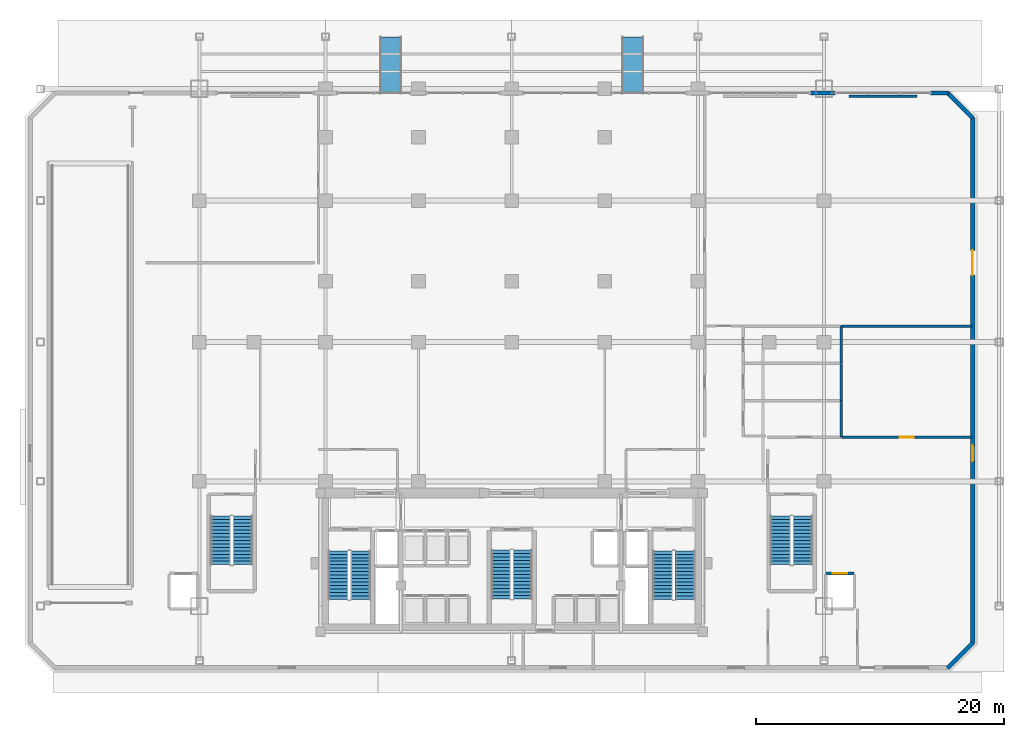
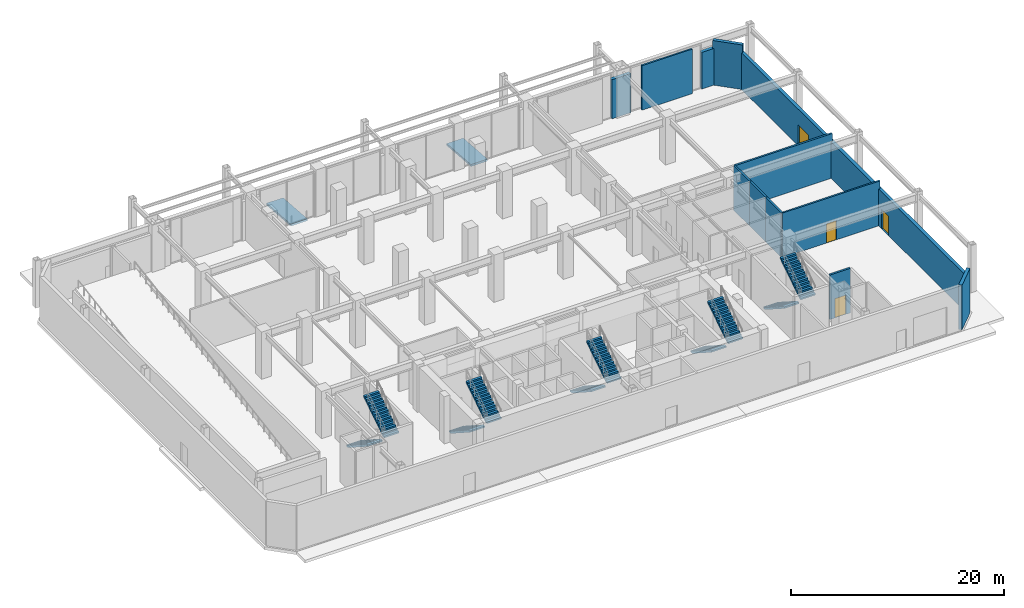
# One storey, part 19 of 23: 12 walls, 10 stair flights, 4 doors, 2 ramp flights, 4 openings, 7 elements without a shape of their own.
"""IFC4 building model written with IfcOpenShell, lengths in metres."""

from ifc_helpers import new_model, si_unit, direction, frame, frame_2d, origin, place, context, subcontext, project, spatial, polyline, rectangle, outline, extrude, material, layer, layer_set, type_object, element, fill, aggregate, save


model = new_model("IFC4")

# Units and contexts
model_context = context("Model", 3, precision=1e-05, world=origin(), true_north=direction((0.0, 1.0)))
body_context = subcontext(model_context, "Body", "Model", "MODEL_VIEW")
ifc_project = project(units=[si_unit("LENGTHUNIT", "METRE"), si_unit("AREAUNIT", "SQUARE_METRE"), si_unit("VOLUMEUNIT", "CUBIC_METRE"), si_unit("PLANEANGLEUNIT", "RADIAN"), si_unit("MASSUNIT", "GRAM", prefix="KILO")], contexts=[model_context])

# Site, building, storey
site_placement = place(None, origin())
site = spatial("IfcSite", under=ifc_project, at=site_placement, CompositionType="ELEMENT")
building_placement = place(site_placement, origin())
building = spatial("IfcBuilding", under=site, at=building_placement, Name="Ventersveld Concourse Tower", CompositionType="ELEMENT")
storey_placement = place(building_placement, origin())
storey = spatial("IfcBuildingStorey", under=building, at=storey_placement, Name="L00", CompositionType="ELEMENT", Elevation=0.0)

# Wall, opening, door
ifc_material_1 = material(Name="Fire-rated autoclaved aerated masonry blockwork", Category="masonry")
ifc_layer_1 = layer(ifc_material_1, 0.179931640625)
ifc_layer_set_1 = layer_set([ifc_layer_1], Name="Fire-rated autoclaved aerated masonry blockwork")
wall_type_1 = type_object("IfcWallType", Name="WL-CORR-180", PredefinedType="PARTITIONING", material=ifc_layer_set_1)
wall_1_placement = place(storey_placement, frame((55.304931640625, 15.949951171875, 0.0), z_axis=(0.0, 0.0, 1.0), x_axis=(1.0, 0.0, 0.0)))
wall_1 = element("IfcWall", 1, at=wall_1_placement, inside=storey, type_object=wall_type_1, Name="L00 Interior Partition SP-L00-BIKE-SP-L00-EXP5", PredefinedType="PARTITIONING", context=body_context, shape_type="SweptSolid", body=[
    extrude(rectangle(XDim=10.530029296875, YDim=0.179931640625, at=frame_2d((5.26513671875, 0.0))), origin(), (0.0, 0.0, 1.0), 5.10009765625),
])
opening_1_placement = place(wall_1_placement, frame((4.715087890625, 0.0, 0.0)))
opening_1 = element("IfcOpeningElement", 2, at=opening_1_placement, cuts=wall_1, Name="Opening FD2", PredefinedType="OPENING", context=body_context, shape_type="SweptSolid", body=[
    extrude(rectangle(XDim=1.10009765625, YDim=2.199951171875, at=frame_2d((0.550048828125, 1.10009765625))), frame((0.0, 0.10009765625, 0.0), z_axis=(0.0, -1.0, 0.0), x_axis=(1.0, 0.0, 0.0)), (0.0, 0.0, 1.0), 0.199951171875),
])
ifc_material_2 = material(Name="Galvanised painted steel", Category="steel")
door_type_1 = type_object("IfcDoorType", Name="DR-FFL-110", OperationType="NOTDEFINED", PredefinedType="DOOR", material=ifc_material_2)
door_1_placement = place(opening_1_placement, origin())
door_1 = element("IfcDoor", 3, at=door_1_placement, inside=storey, type_object=door_type_1, Name="L00 Interior Door SP-L00-BIKE to SP-L00-EXP5 (FD-L00-0068)", OperationType="SINGLE_SWING_RIGHT", OverallHeight=2.199951171875, OverallWidth=1.10009765625, PredefinedType="DOOR", context=body_context, shape_type="SweptSolid", body=[
    extrude(rectangle(XDim=1.10009765625, YDim=2.199951171875, at=frame_2d((0.550048828125, 1.10009765625))), frame((0.0, 0.02490234375, 0.0), z_axis=(0.0, -1.0, 0.0), x_axis=(1.0, 0.0, 0.0)), (0.0, 0.0, 1.0), 0.050048828125),
])
fill(opening_1, door_1)

# Walls
wall_2_placement = place(storey_placement, frame((61.37548828125, 43.39990234375, 0.0), z_axis=(0.0, 0.0, 1.0), x_axis=(-1.0, 0.0, 0.0)))
element("IfcWall", 4, at=wall_2_placement, inside=storey, type_object=wall_type_1, Name="L00 Room Enclosure Wall SP-L00-RET1", PredefinedType="PARTITIONING", context=body_context, shape_type="SweptSolid", body=[
    extrude(rectangle(XDim=5.451171875, YDim=0.179931640625, at=frame_2d((2.7255859375, 0.0))), origin(), (0.0, 0.0, 1.0), 5.10009765625),
])
ifc_layer_2 = layer(ifc_material_1, 0.199951171875)
ifc_layer_set_2 = layer_set([ifc_layer_2], Name="Fire-rated autoclaved aerated masonry blockwork")
wall_type_2 = type_object("IfcWallType", Name="WL-DEMISE-200", PredefinedType="PARTITIONING", material=ifc_layer_set_2)
wall_3_placement = place(storey_placement, frame((55.304931640625, 24.89990234375, 0.0), z_axis=(0.0, 0.0, 1.0), x_axis=(1.0, 0.0, 0.0)))
element("IfcWall", 5, at=wall_3_placement, inside=storey, type_object=wall_type_2, Name="L00 Interior Partition SP-L00-RET1-SP-L00-BIKE", PredefinedType="PARTITIONING", context=body_context, shape_type="SweptSolid", body=[
    extrude(rectangle(XDim=10.530029296875, YDim=0.199951171875, at=frame_2d((5.26513671875, 0.0))), origin(), (0.0, 0.0, 1.0), 5.10009765625),
])
wall_4_placement = place(storey_placement, frame((55.300048828125, 15.955078125, 0.0), z_axis=(0.0, 0.0, 1.0), x_axis=(0.0, 1.0, 0.0)))
element("IfcWall", 6, at=wall_4_placement, inside=storey, type_object=wall_type_2, Name="L00 Interior Partition SP-L00-BIKE-SP-L00-MWC", PredefinedType="PARTITIONING", context=body_context, shape_type="SweptSolid", body=[
    extrude(rectangle(XDim=2.93994140625, YDim=0.199951171875, at=frame_2d((1.469970703125, 0.0))), origin(), (0.0, 0.0, 1.0), 5.10009765625),
])
for number, where, z_axis, x_axis, name in (
    (7, (55.300048828125, 18.925048828125, 0.0), (0.0, 0.0, 1.0), (0.0, 1.0, 0.0), "L00 Interior Partition SP-L00-BIKE-SP-L00-FWC"),
    (8, (55.300048828125, 21.925048828125, 0.0), (0.0, 0.0, 1.0), (0.0, 1.0, 0.0), "L00 Interior Partition SP-L00-BIKE-SP-L00-AWC"),
):
    element("IfcWall", number, at=place(storey_placement, frame(where, z_axis=z_axis, x_axis=x_axis)), inside=storey, type_object=wall_type_2, Name=name, PredefinedType="PARTITIONING", context=body_context, shape_type="SweptSolid", body=[
        extrude(rectangle(XDim=2.969970703125, YDim=0.199951171875, at=frame_2d((1.48486328125, 0.0))), origin(), (0.0, 0.0, 1.0), 5.10009765625),
    ])

# Wall, opening, door
ifc_layer_3 = layer(ifc_material_1, 0.219970703125)
ifc_layer_set_3 = layer_set([ifc_layer_3], Name="Fire-rated autoclaved aerated masonry blockwork")
wall_type_3 = type_object("IfcWallType", Name="WL-HOIST-220", PredefinedType="SOLIDWALL", material=ifc_layer_set_3)
wall_5_placement = place(storey_placement, frame((54.080078125, 4.97998046875, 0.0), z_axis=(0.0, 0.0, 1.0), x_axis=(1.0, 0.0, 0.0)))
wall_5 = element("IfcWall", 9, at=wall_5_placement, inside=storey, type_object=wall_type_3, Name="L00 Lift Hoistway Front Wall SL-02", PredefinedType="SOLIDWALL", context=body_context, shape_type="SweptSolid", body=[
    extrude(rectangle(XDim=2.239990234375, YDim=0.219970703125, at=frame_2d((1.1201171875, 0.0))), origin(), (0.0, 0.0, 1.0), 5.10009765625),
])
opening_2_placement = place(wall_5_placement, frame((0.530029296875, 0.0, 0.0)))
opening_2 = element("IfcOpeningElement", 10, at=opening_2_placement, cuts=wall_5, Name="Opening LD2", PredefinedType="OPENING", context=body_context, shape_type="SweptSolid", body=[
    extrude(rectangle(XDim=1.179931640625, YDim=2.199951171875, at=frame_2d((0.58984375, 1.10009765625))), frame((0.0, 0.1201171875, 0.0), z_axis=(0.0, -1.0, 0.0), x_axis=(1.0, 0.0, 0.0)), (0.0, 0.0, 1.0), 0.239990234375),
])
ifc_material_3 = material(Name="Brushed stainless steel 316", Category="steel")
door_type_2 = type_object("IfcDoorType", Name="LD-PAX-118", OperationType="SLIDING_TO_LEFT", PredefinedType="DOOR", material=ifc_material_3)
door_2_placement = place(opening_2_placement, origin())
door_2 = element("IfcDoor", 11, at=door_2_placement, inside=storey, type_object=door_type_2, Name="L00 Lift landing door SL-02 (LD-L00-SL-02)", OperationType="SLIDING_TO_RIGHT", OverallHeight=2.199951171875, OverallWidth=1.179931640625, PredefinedType="DOOR", context=body_context, shape_type="SweptSolid", body=[
    extrude(rectangle(XDim=1.179931640625, YDim=2.199951171875, at=frame_2d((0.58984375, 1.10009765625))), frame((0.0, 0.02490234375, 0.0), z_axis=(0.0, -1.0, 0.0), x_axis=(1.0, 0.0, 0.0)), (0.0, 0.0, 1.0), 0.050048828125),
])
fill(opening_2, door_2)

# Wall
ifc_material_4 = material(Name="Precast concrete C45/55", Category="concrete")
ifc_layer_4 = layer(ifc_material_4, 0.35009765625)
ifc_layer_set_4 = layer_set([ifc_layer_4], Name="Precast concrete C45/55")
wall_type_4 = type_object("IfcWallType", Name="WL-PREC-350", PredefinedType="SOLIDWALL", material=ifc_layer_set_4)
wall_6_placement = place(storey_placement, frame((63.85107421875, -2.644287109375, 0.0), z_axis=(0.0, 0.0, 1.0), x_axis=(0.707106781187, 0.707106781187, 0.0)))
element("IfcWall", 12, at=wall_6_placement, inside=storey, type_object=wall_type_4, Name="L00 Podium Precast Perimeter Wall 02", PredefinedType="SOLIDWALL", context=body_context, shape_type="SweptSolid", body=[
    extrude(rectangle(XDim=2.8896484375, YDim=0.35009765625, at=frame_2d((1.44482421875, 0.0))), origin(), (0.0, 0.0, 1.0), 5.10009765625),
])

# Wall, openings, doors
wall_7_placement = place(storey_placement, frame((65.8701171875, -0.659912109375, 0.0), z_axis=(0.0, 0.0, 1.0), x_axis=(0.0, 1.0, 0.0)))
wall_7 = element("IfcWall", 13, at=wall_7_placement, inside=storey, type_object=wall_type_4, Name="L00 Podium Precast Perimeter Wall 03", PredefinedType="SOLIDWALL", context=body_context, shape_type="SweptSolid", body=[
    extrude(rectangle(XDim=42.369873046875, YDim=0.35009765625, at=frame_2d((21.18505859375, 0.0))), origin(), (0.0, 0.0, 1.0), 4.199951171875),
])
opening_3_placement = place(wall_7_placement, frame((14.659912109375, 0.0, 0.0)))
opening_3 = element("IfcOpeningElement", 14, at=opening_3_placement, cuts=wall_7, Name="Opening EXD1", PredefinedType="OPENING", context=body_context, shape_type="SweptSolid", body=[
    extrude(rectangle(XDim=1.300048828125, YDim=2.199951171875, at=frame_2d((0.64990234375, 1.10009765625))), frame((0.0, 0.18505859375, 0.0), z_axis=(0.0, -1.0, 0.0), x_axis=(1.0, 0.0, 0.0)), (0.0, 0.0, 1.0), 0.3701171875),
])
opening_4_placement = place(wall_7_placement, frame((29.659912109375, 0.0, 0.0)))
opening_4 = element("IfcOpeningElement", 15, at=opening_4_placement, cuts=wall_7, Name="Opening ED1", PredefinedType="OPENING", context=body_context, shape_type="SweptSolid", body=[
    extrude(rectangle(XDim=2.0, YDim=2.39990234375, at=frame_2d((1.0, 1.199951171875))), frame((0.0, 0.18505859375, 0.0), z_axis=(0.0, -1.0, 0.0), x_axis=(1.0, 0.0, 0.0)), (0.0, 0.0, 1.0), 0.3701171875),
])
door_type_3 = type_object("IfcDoorType", Name="DR-EXD-130", OperationType="NOTDEFINED", PredefinedType="DOOR", material=ifc_material_2)
door_3_placement = place(opening_3_placement, frame((1.300048828125, 0.0, 0.0), z_axis=(0.0, 0.0, 1.0), x_axis=(-1.0, 0.0, 0.0)))
door_3 = element("IfcDoor", 16, at=door_3_placement, inside=storey, type_object=door_type_3, Name="L00 ST-05 Protected Final Exterior Exit Door EXD1", OperationType="SINGLE_SWING_RIGHT", OverallHeight=2.199951171875, OverallWidth=1.300048828125, PredefinedType="DOOR", context=body_context, shape_type="SweptSolid", body=[
    extrude(rectangle(XDim=1.300048828125, YDim=2.199951171875, at=frame_2d((0.64990234375, 1.10009765625))), frame((0.0, 0.02490234375, 0.0), z_axis=(0.0, -1.0, 0.0), x_axis=(1.0, 0.0, 0.0)), (0.0, 0.0, 1.0), 0.050048828125),
])
fill(opening_3, door_3)
ifc_material_5 = material(Name="Anodised aluminium EN AW-6063-T6", Category="aluminium")
door_type_4 = type_object("IfcDoorType", Name="DR-EXT-DBL-200", OperationType="DOUBLE_DOOR_SINGLE_SWING", PredefinedType="DOOR", material=ifc_material_5)
door_4_placement = place(opening_4_placement, frame((2.0, 0.0, 0.0), z_axis=(0.0, 0.0, 1.0), x_axis=(-1.0, 0.0, 0.0)))
door_4 = element("IfcDoor", 17, at=door_4_placement, inside=storey, type_object=door_type_4, Name="L00 Streetfront Retail Entrance Door", OperationType="DOUBLE_DOOR_SINGLE_SWING", OverallHeight=2.39990234375, OverallWidth=2.0, PredefinedType="DOOR", context=body_context, shape_type="SweptSolid", body=[
    extrude(rectangle(XDim=2.0, YDim=2.39990234375, at=frame_2d((1.0, 1.199951171875))), frame((0.0, 0.02490234375, 0.0), z_axis=(0.0, -1.0, 0.0), x_axis=(1.0, 0.0, 0.0)), (0.0, 0.0, 1.0), 0.050048828125),
])
fill(opening_4, door_4)

# Walls
wall_8_placement = place(storey_placement, frame((65.894287109375, 41.65087890625, 0.0), z_axis=(0.0, 0.0, 1.0), x_axis=(-0.707064536853, 0.707149022997, 0.0)))
element("IfcWall", 18, at=wall_8_placement, inside=storey, type_object=wall_type_4, Name="L00 Podium Precast Perimeter Wall 04", PredefinedType="SOLIDWALL", context=body_context, shape_type="SweptSolid", body=[
    extrude(rectangle(XDim=2.8896484375, YDim=0.35009765625, at=frame_2d((1.44482421875, 0.0))), origin(), (0.0, 0.0, 1.0), 5.10009765625),
])
wall_9_placement = place(storey_placement, frame((52.800048828125, 43.669921875, 0.0), z_axis=(0.0, 0.0, 1.0), x_axis=(1.0, 0.0, 0.0)))
element("IfcWall", 19, at=wall_9_placement, inside=storey, type_object=wall_type_4, Name="L00 Concourse North Precast Pier P5", PredefinedType="SOLIDWALL", context=body_context, shape_type="SweptSolid", body=[
    extrude(rectangle(XDim=2.0, YDim=0.35009765625, at=frame_2d((1.0, 0.0))), origin(), (0.0, 0.0, 1.0), 4.48291015625),
])
wall_10_placement = place(storey_placement, frame((62.5, 43.669921875, 0.0), z_axis=(0.0, 0.0, 1.0), x_axis=(1.0, 0.0, 0.0)))
element("IfcWall", 20, at=wall_10_placement, inside=storey, type_object=wall_type_4, Name="L00 Concourse North Precast Pier NE", PredefinedType="SOLIDWALL", context=body_context, shape_type="SweptSolid", body=[
    extrude(rectangle(XDim=1.409912109375, YDim=0.35009765625, at=frame_2d((0.705078125, 0.0))), origin(), (0.0, 0.0, 1.0), 4.199951171875),
])

# Stair, stair flights
ifc_material_6 = material(Name="Concrete C50/60", Category="concrete")
stair_type_1 = type_object("IfcStairType", Name="ST-DOG-155", PredefinedType="HALF_TURN_STAIR", material=ifc_material_6)
stair_1_placement = place(storey_placement, origin())
stair_1 = element("IfcStair", 21, at=stair_1_placement, inside=storey, type_object=stair_type_1, Name="L00 Protected Central Core Escape Stair ST-03", PredefinedType="HALF_TURN_STAIR")
stair_flight_type_1 = type_object("IfcStairFlightType", Name="STF-RC-155", PredefinedType="STRAIGHT", material=ifc_material_6)
stair_flight_1_placement = place(storey_placement, frame((27.875, 6.85009765625, 0.0), z_axis=(0.0, 0.0, 1.0), x_axis=(0.0, -1.0, 0.0)))
stair_flight_1 = element("IfcStairFlight", 22, at=stair_flight_1_placement, type_object=stair_flight_type_1, Name="ST-03 flight 1", NumberOfRisers=15, NumberOfTreads=14, PredefinedType="STRAIGHT", RiserHeight=0.18, TreadLength=0.28, context=body_context, shape_type="SweptSolid", body=[
    extrude(outline(polyline([(0.0, 0.0), (0.0, 0.179931640625), (0.280029296875, 0.179931640625), (0.280029296875, 0.360107421875), (0.56005859375, 0.360107421875), (0.56005859375, 0.5400390625), (0.840087890625, 0.5400390625), (0.840087890625, 0.719970703125), (1.1201171875, 0.719970703125), (1.1201171875, 0.89990234375), (1.39990234375, 0.89990234375), (1.39990234375, 1.080078125), (1.679931640625, 1.080078125), (1.679931640625, 1.260009765625), (1.9599609375, 1.260009765625), (1.9599609375, 1.43994140625), (2.239990234375, 1.43994140625), (2.239990234375, 1.6201171875), (2.52001953125, 1.6201171875), (2.52001953125, 1.800048828125), (2.800048828125, 1.800048828125), (2.800048828125, 1.97998046875), (3.080078125, 1.97998046875), (3.080078125, 2.159912109375), (3.360107421875, 2.159912109375), (3.360107421875, 2.340087890625), (3.639892578125, 2.340087890625), (3.639892578125, 2.52001953125), (3.919921875, 2.52001953125), (3.919921875, 2.699951171875), (3.919921875, 2.341796875), (0.277099609375, 0.0), (0.0, 0.0)])), frame((0.0, 0.77490234375, 0.0), z_axis=(0.0, -1.0, 0.0), x_axis=(1.0, 0.0, 0.0)), (0.0, 0.0, 1.0), 1.550048828125),
])
stair_flight_2_placement = place(storey_placement, frame((29.625, 2.929931640625, 2.699951171875), z_axis=(0.0, 0.0, 1.0), x_axis=(0.0, 1.0, 0.0)))
stair_flight_2 = element("IfcStairFlight", 23, at=stair_flight_2_placement, type_object=stair_flight_type_1, Name="ST-03 flight 2", NumberOfRisers=15, NumberOfTreads=14, PredefinedType="STRAIGHT", RiserHeight=0.18, TreadLength=0.28, context=body_context, shape_type="SweptSolid", body=[
    extrude(outline(polyline([(0.0, 0.0), (0.0, 0.179931640625), (0.280029296875, 0.179931640625), (0.280029296875, 0.360107421875), (0.56005859375, 0.360107421875), (0.56005859375, 0.5400390625), (0.840087890625, 0.5400390625), (0.840087890625, 0.719970703125), (1.1201171875, 0.719970703125), (1.1201171875, 0.89990234375), (1.39990234375, 0.89990234375), (1.39990234375, 1.080078125), (1.679931640625, 1.080078125), (1.679931640625, 1.260009765625), (1.9599609375, 1.260009765625), (1.9599609375, 1.43994140625), (2.239990234375, 1.43994140625), (2.239990234375, 1.6201171875), (2.52001953125, 1.6201171875), (2.52001953125, 1.800048828125), (2.800048828125, 1.800048828125), (2.800048828125, 1.97998046875), (3.080078125, 1.97998046875), (3.080078125, 2.159912109375), (3.360107421875, 2.159912109375), (3.360107421875, 2.340087890625), (3.639892578125, 2.340087890625), (3.639892578125, 2.52001953125), (3.919921875, 2.52001953125), (3.919921875, 2.699951171875), (3.919921875, 2.341796875), (0.277099609375, 0.0), (0.0, 0.0)])), frame((0.0, 0.77490234375, 0.0), z_axis=(0.0, -1.0, 0.0), x_axis=(1.0, 0.0, 0.0)), (0.0, 0.0, 1.0), 1.550048828125),
])
aggregate(stair_1, [stair_flight_1, stair_flight_2])

stair_type_2 = type_object("IfcStairType", Name="ST-DOG-160", PredefinedType="HALF_TURN_STAIR", material=ifc_material_6)
stair_2_placement = place(storey_placement, origin())
stair_2 = element("IfcStair", 24, at=stair_2_placement, inside=storey, type_object=stair_type_2, Name="L00 Protected Tower Escape Stair ST-01", PredefinedType="HALF_TURN_STAIR")
stair_flight_type_2 = type_object("IfcStairFlightType", Name="STF-RC-160", PredefinedType="STRAIGHT", material=ifc_material_6)
stair_flight_3_placement = place(storey_placement, frame((14.780029296875, 6.800048828125, 0.0), z_axis=(0.0, 0.0, 1.0), x_axis=(0.0, -1.0, 0.0)))
stair_flight_3 = element("IfcStairFlight", 25, at=stair_flight_3_placement, type_object=stair_flight_type_2, Name="ST-01 flight 1", NumberOfRisers=15, NumberOfTreads=14, PredefinedType="STRAIGHT", RiserHeight=0.18, TreadLength=0.28, context=body_context, shape_type="SweptSolid", body=[
    extrude(outline(polyline([(0.0, 0.0), (0.0, 0.179931640625), (0.280029296875, 0.179931640625), (0.280029296875, 0.360107421875), (0.56005859375, 0.360107421875), (0.56005859375, 0.5400390625), (0.840087890625, 0.5400390625), (0.840087890625, 0.719970703125), (1.1201171875, 0.719970703125), (1.1201171875, 0.89990234375), (1.39990234375, 0.89990234375), (1.39990234375, 1.080078125), (1.679931640625, 1.080078125), (1.679931640625, 1.260009765625), (1.9599609375, 1.260009765625), (1.9599609375, 1.43994140625), (2.239990234375, 1.43994140625), (2.239990234375, 1.6201171875), (2.52001953125, 1.6201171875), (2.52001953125, 1.800048828125), (2.800048828125, 1.800048828125), (2.800048828125, 1.97998046875), (3.080078125, 1.97998046875), (3.080078125, 2.159912109375), (3.360107421875, 2.159912109375), (3.360107421875, 2.340087890625), (3.639892578125, 2.340087890625), (3.639892578125, 2.52001953125), (3.919921875, 2.52001953125), (3.919921875, 2.699951171875), (3.919921875, 2.341796875), (0.277099609375, 0.0), (0.0, 0.0)])), frame((0.0, 0.800048828125, 0.0), z_axis=(0.0, -1.0, 0.0), x_axis=(1.0, 0.0, 0.0)), (0.0, 0.0, 1.0), 1.60009765625),
])
stair_flight_4_placement = place(storey_placement, frame((16.580078125, 2.8798828125, 2.699951171875), z_axis=(0.0, 0.0, 1.0), x_axis=(0.0, 1.0, 0.0)))
stair_flight_4 = element("IfcStairFlight", 26, at=stair_flight_4_placement, type_object=stair_flight_type_2, Name="ST-01 flight 2", NumberOfRisers=15, NumberOfTreads=14, PredefinedType="STRAIGHT", RiserHeight=0.18, TreadLength=0.28, context=body_context, shape_type="SweptSolid", body=[
    extrude(outline(polyline([(0.0, 0.0), (0.0, 0.179931640625), (0.280029296875, 0.179931640625), (0.280029296875, 0.360107421875), (0.56005859375, 0.360107421875), (0.56005859375, 0.5400390625), (0.840087890625, 0.5400390625), (0.840087890625, 0.719970703125), (1.1201171875, 0.719970703125), (1.1201171875, 0.89990234375), (1.39990234375, 0.89990234375), (1.39990234375, 1.080078125), (1.679931640625, 1.080078125), (1.679931640625, 1.260009765625), (1.9599609375, 1.260009765625), (1.9599609375, 1.43994140625), (2.239990234375, 1.43994140625), (2.239990234375, 1.6201171875), (2.52001953125, 1.6201171875), (2.52001953125, 1.800048828125), (2.800048828125, 1.800048828125), (2.800048828125, 1.97998046875), (3.080078125, 1.97998046875), (3.080078125, 2.159912109375), (3.360107421875, 2.159912109375), (3.360107421875, 2.340087890625), (3.639892578125, 2.340087890625), (3.639892578125, 2.52001953125), (3.919921875, 2.52001953125), (3.919921875, 2.699951171875), (3.919921875, 2.341796875), (0.277099609375, 0.0), (0.0, 0.0)])), frame((0.0, 0.800048828125, 0.0), z_axis=(0.0, -1.0, 0.0), x_axis=(1.0, 0.0, 0.0)), (0.0, 0.0, 1.0), 1.60009765625),
])
aggregate(stair_2, [stair_flight_3, stair_flight_4])

stair_3_placement = place(storey_placement, origin())
stair_3 = element("IfcStair", 27, at=stair_3_placement, inside=storey, type_object=stair_type_2, Name="L00 Protected Tower Escape Stair ST-02", PredefinedType="HALF_TURN_STAIR")
stair_flight_5_placement = place(storey_placement, frame((40.919921875, 6.800048828125, 0.0), z_axis=(0.0, 0.0, 1.0), x_axis=(0.0, -1.0, 0.0)))
stair_flight_5 = element("IfcStairFlight", 28, at=stair_flight_5_placement, type_object=stair_flight_type_2, Name="ST-02 flight 1", NumberOfRisers=15, NumberOfTreads=14, PredefinedType="STRAIGHT", RiserHeight=0.18, TreadLength=0.28, context=body_context, shape_type="SweptSolid", body=[
    extrude(outline(polyline([(0.0, 0.0), (0.0, 0.179931640625), (0.280029296875, 0.179931640625), (0.280029296875, 0.360107421875), (0.56005859375, 0.360107421875), (0.56005859375, 0.5400390625), (0.840087890625, 0.5400390625), (0.840087890625, 0.719970703125), (1.1201171875, 0.719970703125), (1.1201171875, 0.89990234375), (1.39990234375, 0.89990234375), (1.39990234375, 1.080078125), (1.679931640625, 1.080078125), (1.679931640625, 1.260009765625), (1.9599609375, 1.260009765625), (1.9599609375, 1.43994140625), (2.239990234375, 1.43994140625), (2.239990234375, 1.6201171875), (2.52001953125, 1.6201171875), (2.52001953125, 1.800048828125), (2.800048828125, 1.800048828125), (2.800048828125, 1.97998046875), (3.080078125, 1.97998046875), (3.080078125, 2.159912109375), (3.360107421875, 2.159912109375), (3.360107421875, 2.340087890625), (3.639892578125, 2.340087890625), (3.639892578125, 2.52001953125), (3.919921875, 2.52001953125), (3.919921875, 2.699951171875), (3.919921875, 2.341796875), (0.277099609375, 0.0), (0.0, 0.0)])), frame((0.0, 0.800048828125, 0.0), z_axis=(0.0, -1.0, 0.0), x_axis=(1.0, 0.0, 0.0)), (0.0, 0.0, 1.0), 1.60009765625),
])
stair_flight_6_placement = place(storey_placement, frame((42.719970703125, 2.8798828125, 2.699951171875), z_axis=(0.0, 0.0, 1.0), x_axis=(0.0, 1.0, 0.0)))
stair_flight_6 = element("IfcStairFlight", 29, at=stair_flight_6_placement, type_object=stair_flight_type_2, Name="ST-02 flight 2", NumberOfRisers=15, NumberOfTreads=14, PredefinedType="STRAIGHT", RiserHeight=0.18, TreadLength=0.28, context=body_context, shape_type="SweptSolid", body=[
    extrude(outline(polyline([(0.0, 0.0), (0.0, 0.179931640625), (0.280029296875, 0.179931640625), (0.280029296875, 0.360107421875), (0.56005859375, 0.360107421875), (0.56005859375, 0.5400390625), (0.840087890625, 0.5400390625), (0.840087890625, 0.719970703125), (1.1201171875, 0.719970703125), (1.1201171875, 0.89990234375), (1.39990234375, 0.89990234375), (1.39990234375, 1.080078125), (1.679931640625, 1.080078125), (1.679931640625, 1.260009765625), (1.9599609375, 1.260009765625), (1.9599609375, 1.43994140625), (2.239990234375, 1.43994140625), (2.239990234375, 1.6201171875), (2.52001953125, 1.6201171875), (2.52001953125, 1.800048828125), (2.800048828125, 1.800048828125), (2.800048828125, 1.97998046875), (3.080078125, 1.97998046875), (3.080078125, 2.159912109375), (3.360107421875, 2.159912109375), (3.360107421875, 2.340087890625), (3.639892578125, 2.340087890625), (3.639892578125, 2.52001953125), (3.919921875, 2.52001953125), (3.919921875, 2.699951171875), (3.919921875, 2.341796875), (0.277099609375, 0.0), (0.0, 0.0)])), frame((0.0, 0.800048828125, 0.0), z_axis=(0.0, -1.0, 0.0), x_axis=(1.0, 0.0, 0.0)), (0.0, 0.0, 1.0), 1.60009765625),
])
aggregate(stair_3, [stair_flight_5, stair_flight_6])

stair_4_placement = place(storey_placement, origin())
stair_4 = element("IfcStair", 30, at=stair_4_placement, inside=storey, type_object=stair_type_2, Name="L00 Station Concourse West Escape Stair ST-04", PredefinedType="HALF_TURN_STAIR")
stair_flight_7_placement = place(storey_placement, frame((5.300048828125, 9.60009765625, 0.0), z_axis=(0.0, 0.0, 1.0), x_axis=(0.0, -1.0, 0.0)))
stair_flight_7 = element("IfcStairFlight", 31, at=stair_flight_7_placement, type_object=stair_flight_type_2, Name="ST-04 flight 1", NumberOfRisers=15, NumberOfTreads=14, PredefinedType="STRAIGHT", RiserHeight=0.18, TreadLength=0.28, context=body_context, shape_type="SweptSolid", body=[
    extrude(outline(polyline([(0.0, 0.0), (0.0, 0.179931640625), (0.280029296875, 0.179931640625), (0.280029296875, 0.360107421875), (0.56005859375, 0.360107421875), (0.56005859375, 0.5400390625), (0.840087890625, 0.5400390625), (0.840087890625, 0.719970703125), (1.1201171875, 0.719970703125), (1.1201171875, 0.89990234375), (1.39990234375, 0.89990234375), (1.39990234375, 1.080078125), (1.679931640625, 1.080078125), (1.679931640625, 1.260009765625), (1.9599609375, 1.260009765625), (1.9599609375, 1.43994140625), (2.239990234375, 1.43994140625), (2.239990234375, 1.6201171875), (2.52001953125, 1.6201171875), (2.52001953125, 1.800048828125), (2.800048828125, 1.800048828125), (2.800048828125, 1.97998046875), (3.080078125, 1.97998046875), (3.080078125, 2.159912109375), (3.360107421875, 2.159912109375), (3.360107421875, 2.340087890625), (3.639892578125, 2.340087890625), (3.639892578125, 2.52001953125), (3.919921875, 2.52001953125), (3.919921875, 2.699951171875), (3.919921875, 2.341796875), (0.277099609375, 0.0), (0.0, 0.0)])), frame((0.0, 0.800048828125, 0.0), z_axis=(0.0, -1.0, 0.0), x_axis=(1.0, 0.0, 0.0)), (0.0, 0.0, 1.0), 1.60009765625),
])
stair_flight_8_placement = place(storey_placement, frame((7.10009765625, 5.679931640625, 2.699951171875), z_axis=(0.0, 0.0, 1.0), x_axis=(0.0, 1.0, 0.0)))
stair_flight_8 = element("IfcStairFlight", 32, at=stair_flight_8_placement, type_object=stair_flight_type_2, Name="ST-04 flight 2", NumberOfRisers=15, NumberOfTreads=14, PredefinedType="STRAIGHT", RiserHeight=0.18, TreadLength=0.28, context=body_context, shape_type="SweptSolid", body=[
    extrude(outline(polyline([(0.0, 0.0), (0.0, 0.179931640625), (0.280029296875, 0.179931640625), (0.280029296875, 0.360107421875), (0.56005859375, 0.360107421875), (0.56005859375, 0.5400390625), (0.840087890625, 0.5400390625), (0.840087890625, 0.719970703125), (1.1201171875, 0.719970703125), (1.1201171875, 0.89990234375), (1.39990234375, 0.89990234375), (1.39990234375, 1.080078125), (1.679931640625, 1.080078125), (1.679931640625, 1.260009765625), (1.9599609375, 1.260009765625), (1.9599609375, 1.43994140625), (2.239990234375, 1.43994140625), (2.239990234375, 1.6201171875), (2.52001953125, 1.6201171875), (2.52001953125, 1.800048828125), (2.800048828125, 1.800048828125), (2.800048828125, 1.97998046875), (3.080078125, 1.97998046875), (3.080078125, 2.159912109375), (3.360107421875, 2.159912109375), (3.360107421875, 2.340087890625), (3.639892578125, 2.340087890625), (3.639892578125, 2.52001953125), (3.919921875, 2.52001953125), (3.919921875, 2.699951171875), (3.919921875, 2.341796875), (0.277099609375, 0.0), (0.0, 0.0)])), frame((0.0, 0.800048828125, 0.0), z_axis=(0.0, -1.0, 0.0), x_axis=(1.0, 0.0, 0.0)), (0.0, 0.0, 1.0), 1.60009765625),
])
aggregate(stair_4, [stair_flight_7, stair_flight_8])

stair_5_placement = place(storey_placement, origin())
stair_5 = element("IfcStair", 33, at=stair_5_placement, inside=storey, type_object=stair_type_2, Name="L00 Station Concourse East Escape Stair ST-05", PredefinedType="HALF_TURN_STAIR")
stair_flight_9_placement = place(storey_placement, frame((50.39990234375, 9.60009765625, 0.0), z_axis=(0.0, 0.0, 1.0), x_axis=(0.0, -1.0, 0.0)))
stair_flight_9 = element("IfcStairFlight", 34, at=stair_flight_9_placement, type_object=stair_flight_type_2, Name="ST-05 flight 1", NumberOfRisers=15, NumberOfTreads=14, PredefinedType="STRAIGHT", RiserHeight=0.18, TreadLength=0.28, context=body_context, shape_type="SweptSolid", body=[
    extrude(outline(polyline([(0.0, 0.0), (0.0, 0.179931640625), (0.280029296875, 0.179931640625), (0.280029296875, 0.360107421875), (0.56005859375, 0.360107421875), (0.56005859375, 0.5400390625), (0.840087890625, 0.5400390625), (0.840087890625, 0.719970703125), (1.1201171875, 0.719970703125), (1.1201171875, 0.89990234375), (1.39990234375, 0.89990234375), (1.39990234375, 1.080078125), (1.679931640625, 1.080078125), (1.679931640625, 1.260009765625), (1.9599609375, 1.260009765625), (1.9599609375, 1.43994140625), (2.239990234375, 1.43994140625), (2.239990234375, 1.6201171875), (2.52001953125, 1.6201171875), (2.52001953125, 1.800048828125), (2.800048828125, 1.800048828125), (2.800048828125, 1.97998046875), (3.080078125, 1.97998046875), (3.080078125, 2.159912109375), (3.360107421875, 2.159912109375), (3.360107421875, 2.340087890625), (3.639892578125, 2.340087890625), (3.639892578125, 2.52001953125), (3.919921875, 2.52001953125), (3.919921875, 2.699951171875), (3.919921875, 2.341796875), (0.277099609375, 0.0), (0.0, 0.0)])), frame((0.0, 0.800048828125, 0.0), z_axis=(0.0, -1.0, 0.0), x_axis=(1.0, 0.0, 0.0)), (0.0, 0.0, 1.0), 1.60009765625),
])
stair_flight_10_placement = place(storey_placement, frame((52.199951171875, 5.679931640625, 2.699951171875), z_axis=(0.0, 0.0, 1.0), x_axis=(0.0, 1.0, 0.0)))
stair_flight_10 = element("IfcStairFlight", 35, at=stair_flight_10_placement, type_object=stair_flight_type_2, Name="ST-05 flight 2", NumberOfRisers=15, NumberOfTreads=14, PredefinedType="STRAIGHT", RiserHeight=0.18, TreadLength=0.28, context=body_context, shape_type="SweptSolid", body=[
    extrude(outline(polyline([(0.0, 0.0), (0.0, 0.179931640625), (0.280029296875, 0.179931640625), (0.280029296875, 0.360107421875), (0.56005859375, 0.360107421875), (0.56005859375, 0.5400390625), (0.840087890625, 0.5400390625), (0.840087890625, 0.719970703125), (1.1201171875, 0.719970703125), (1.1201171875, 0.89990234375), (1.39990234375, 0.89990234375), (1.39990234375, 1.080078125), (1.679931640625, 1.080078125), (1.679931640625, 1.260009765625), (1.9599609375, 1.260009765625), (1.9599609375, 1.43994140625), (2.239990234375, 1.43994140625), (2.239990234375, 1.6201171875), (2.52001953125, 1.6201171875), (2.52001953125, 1.800048828125), (2.800048828125, 1.800048828125), (2.800048828125, 1.97998046875), (3.080078125, 1.97998046875), (3.080078125, 2.159912109375), (3.360107421875, 2.159912109375), (3.360107421875, 2.340087890625), (3.639892578125, 2.340087890625), (3.639892578125, 2.52001953125), (3.919921875, 2.52001953125), (3.919921875, 2.699951171875), (3.919921875, 2.341796875), (0.277099609375, 0.0), (0.0, 0.0)])), frame((0.0, 0.800048828125, 0.0), z_axis=(0.0, -1.0, 0.0), x_axis=(1.0, 0.0, 0.0)), (0.0, 0.0, 1.0), 1.60009765625),
])
aggregate(stair_5, [stair_flight_9, stair_flight_10])

# Ramp, ramp flight
ramp_type = type_object("IfcRampType", Name="RMP-PED-180", PredefinedType="TWO_STRAIGHT_RUN_RAMP", material=ifc_material_6)
ramp_1_placement = place(storey_placement, origin())
ramp_1 = element("IfcRamp", 36, at=ramp_1_placement, inside=storey, type_object=ramp_type, Name="L00 Accessible Concourse Pedestrian Ramp RP-1", PredefinedType="TWO_STRAIGHT_RUN_RAMP")
ifc_layer_5 = layer(ifc_material_6, 0.219970703125)
ifc_layer_set_5 = layer_set([ifc_layer_5], Name="Concrete C50/60")
ramp_flight_type = type_object("IfcRampFlightType", Name="RFL-PED-180", PredefinedType="STRAIGHT", material=ifc_layer_set_5)
ramp_flight_1_placement = place(storey_placement, frame((18.10009765625, 48.199951171875, -0.35009765625), z_axis=(0.0, 0.076716954205, 0.997052911804), x_axis=(1.0, 0.0, 0.0)))
ramp_flight_1 = element("IfcRampFlight", 37, at=ramp_flight_1_placement, type_object=ramp_flight_type, Name="L00 Accessible Pedestrian Ramp Flight RPF-1", PredefinedType="STRAIGHT", context=body_context, shape_type="SweptSolid", body=[
    extrude(outline(polyline([(0.0, 0.0), (1.7998046875, 0.0), (1.7998046875, -4.5634765625), (0.0, -4.5634765625), (0.0, 0.0)])), origin(), (0.0, 0.0, -1.0), 0.219970703125),
])
aggregate(ramp_1, [ramp_flight_1])

ramp_2_placement = place(storey_placement, origin())
ramp_2 = element("IfcRamp", 38, at=ramp_2_placement, inside=storey, type_object=ramp_type, Name="L00 Accessible Concourse Pedestrian Ramp RP-1", PredefinedType="TWO_STRAIGHT_RUN_RAMP")
ramp_flight_2_placement = place(storey_placement, frame((37.60009765625, 48.199951171875, -0.35009765625), z_axis=(0.0, 0.076716954205, 0.997052911804), x_axis=(1.0, 0.0, 0.0)))
ramp_flight_2 = element("IfcRampFlight", 39, at=ramp_flight_2_placement, type_object=ramp_flight_type, Name="L00 Accessible Pedestrian Ramp Flight RPF-1", PredefinedType="STRAIGHT", context=body_context, shape_type="SweptSolid", body=[
    extrude(outline(polyline([(0.0, 0.0), (1.7998046875, 0.0), (1.7998046875, -4.5634765625), (0.0, -4.5634765625), (0.0, 0.0)])), origin(), (0.0, 0.0, -1.0), 0.219970703125),
])
aggregate(ramp_2, [ramp_flight_2])

save(model, "model.ifc")
